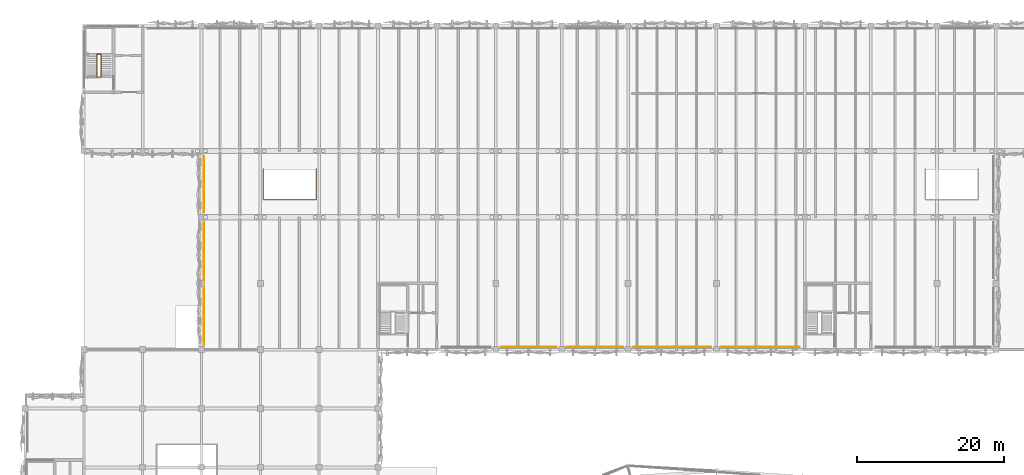
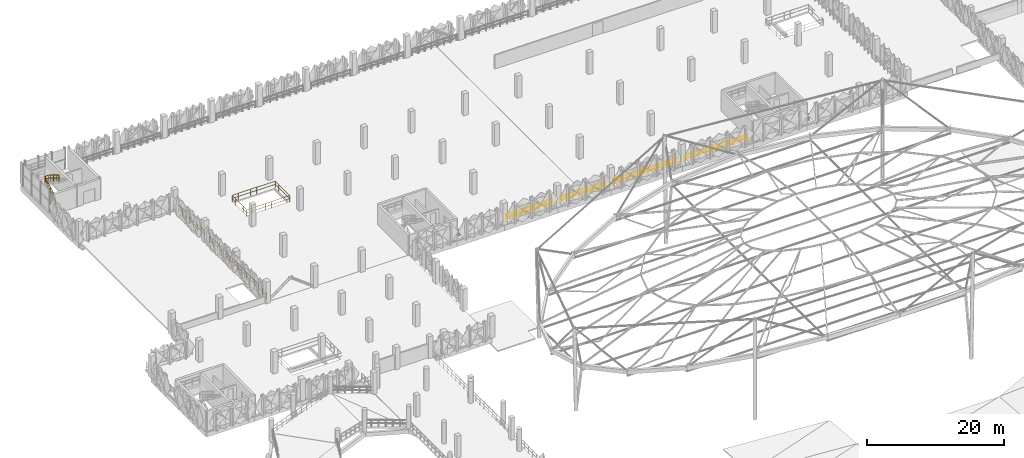
# One storey, part 86 of 96: 8 railings.
"""IFC4 building model written with IfcOpenShell, lengths in metres."""

from ifc_helpers import new_model, si_unit, derived_unit, direction, frame, origin, origin_2d, place, context, subcontext, project, spatial, circle, extrude, material, type_object, element, save


model = new_model("IFC4")

# Units and contexts
model_context = context("Model", 3, precision=1e-05, world=origin(), true_north=direction((0.0, 1.0)))
body_context = subcontext(model_context, "Body", "Model", "MODEL_VIEW")
ifc_project = project(units=[si_unit("LENGTHUNIT", "METRE"), si_unit("AREAUNIT", "SQUARE_METRE"), si_unit("VOLUMEUNIT", "CUBIC_METRE"), si_unit("PLANEANGLEUNIT", "RADIAN"), si_unit("MASSUNIT", "GRAM", prefix="KILO"), si_unit("THERMODYNAMICTEMPERATUREUNIT", "KELVIN"), derived_unit("THERMALTRANSMITTANCEUNIT", [(si_unit("POWERUNIT", "WATT"), 1), (si_unit("AREAUNIT", "SQUARE_METRE"), -1), (si_unit("THERMODYNAMICTEMPERATUREUNIT", "KELVIN"), -1)])], contexts=[model_context])

# Site, building, storey
site_placement = place(None, origin())
site = spatial("IfcSite", under=ifc_project, at=site_placement, CompositionType="ELEMENT")
building_placement = place(site_placement, origin())
building = spatial("IfcBuilding", under=site, at=building_placement, Name="Haiyu Intermodal Mobility Hub", CompositionType="ELEMENT")
storey_placement = place(building_placement, frame((0.0, 0.0, 9.5)))
storey = spatial("IfcBuildingStorey", under=building, at=storey_placement, Name="L02", CompositionType="ELEMENT", Elevation=9.5)

# Railings
ifc_material = material(Name="Steel Q355C", Category="steel")
railing_type_1 = type_object("IfcRailingType", Name="RAL-GR01", PredefinedType="GUARDRAIL", material=ifc_material)
railing_1_placement = place(storey_placement, frame((38.340087890625, 121.300048828125, 0.0)))
element("IfcRailing", 1, at=railing_1_placement, inside=storey, type_object=railing_type_1, Name="RAL-CAR-WS-0083", PredefinedType="GUARDRAIL", context=body_context, shape_type="SweptSolid", body=[
    extrude(circle(Radius=0.02392578125, at=origin_2d()), frame((0.0, -0.030029296875, 1.17578125), z_axis=(0.0, -1.0, 0.0), x_axis=(1.0, 0.0, 0.0)), (0.0, 0.0, 1.0), 16.5400390625),
    extrude(circle(Radius=0.02392578125, at=origin_2d()), frame((0.0, -0.037353515625, 0.60009765625), z_axis=(0.0, -1.0, 0.0), x_axis=(1.0, 0.0, 0.0)), (0.0, 0.0, 1.0), 1.111083984375),
    extrude(circle(Radius=0.02392578125, at=origin_2d()), frame((0.0, -1.222900390625, 0.60009765625), z_axis=(0.0, -1.0, 0.0), x_axis=(1.0, 0.0, 0.0)), (0.0, 0.0, 1.0), 1.111083984375),
    extrude(circle(Radius=0.02392578125, at=origin_2d()), frame((0.0, -2.40869140625, 0.60009765625), z_axis=(0.0, -1.0, 0.0), x_axis=(1.0, 0.0, 0.0)), (0.0, 0.0, 1.0), 1.111083984375),
    extrude(circle(Radius=0.02392578125, at=origin_2d()), frame((0.0, -3.594482421875, 0.60009765625), z_axis=(0.0, -1.0, 0.0), x_axis=(1.0, 0.0, 0.0)), (0.0, 0.0, 1.0), 1.111083984375),
    extrude(circle(Radius=0.02392578125, at=origin_2d()), frame((0.0, -4.7802734375, 0.60009765625), z_axis=(0.0, -1.0, 0.0), x_axis=(1.0, 0.0, 0.0)), (0.0, 0.0, 1.0), 1.111083984375),
    extrude(circle(Radius=0.02392578125, at=origin_2d()), frame((0.0, -5.9658203125, 0.60009765625), z_axis=(0.0, -1.0, 0.0), x_axis=(1.0, 0.0, 0.0)), (0.0, 0.0, 1.0), 1.111083984375),
    extrude(circle(Radius=0.02392578125, at=origin_2d()), frame((0.0, -7.151611328125, 0.60009765625), z_axis=(0.0, -1.0, 0.0), x_axis=(1.0, 0.0, 0.0)), (0.0, 0.0, 1.0), 1.111083984375),
    extrude(circle(Radius=0.02392578125, at=origin_2d()), frame((0.0, -8.33740234375, 0.60009765625), z_axis=(0.0, -1.0, 0.0), x_axis=(1.0, 0.0, 0.0)), (0.0, 0.0, 1.0), 1.111083984375),
    extrude(circle(Radius=0.02392578125, at=origin_2d()), frame((0.0, -9.52294921875, 0.60009765625), z_axis=(0.0, -1.0, 0.0), x_axis=(1.0, 0.0, 0.0)), (0.0, 0.0, 1.0), 1.111083984375),
    extrude(circle(Radius=0.02392578125, at=origin_2d()), frame((0.0, -10.708740234375, 0.60009765625), z_axis=(0.0, -1.0, 0.0), x_axis=(1.0, 0.0, 0.0)), (0.0, 0.0, 1.0), 1.111083984375),
    extrude(circle(Radius=0.02392578125, at=origin_2d()), frame((0.0, -11.89453125, 0.60009765625), z_axis=(0.0, -1.0, 0.0), x_axis=(1.0, 0.0, 0.0)), (0.0, 0.0, 1.0), 1.111083984375),
    extrude(circle(Radius=0.02392578125, at=origin_2d()), frame((0.0, -13.080322265625, 0.60009765625), z_axis=(0.0, -1.0, 0.0), x_axis=(1.0, 0.0, 0.0)), (0.0, 0.0, 1.0), 1.111083984375),
    extrude(circle(Radius=0.02392578125, at=origin_2d()), frame((0.0, -14.265869140625, 0.60009765625), z_axis=(0.0, -1.0, 0.0), x_axis=(1.0, 0.0, 0.0)), (0.0, 0.0, 1.0), 1.111083984375),
    extrude(circle(Radius=0.02392578125, at=origin_2d()), frame((0.0, -15.45166015625, 0.60009765625), z_axis=(0.0, -1.0, 0.0), x_axis=(1.0, 0.0, 0.0)), (0.0, 0.0, 1.0), 1.111083984375),
    extrude(circle(Radius=0.02099609375, at=origin_2d()), origin(), (0.0, 0.0, 1.0), 1.143798828125),
    extrude(circle(Radius=0.02099609375, at=origin_2d()), frame((0.0, -1.185791015625, 0.0)), (0.0, 0.0, 1.0), 1.143798828125),
    extrude(circle(Radius=0.02099609375, at=origin_2d()), frame((0.0, -2.371337890625, 0.0)), (0.0, 0.0, 1.0), 1.143798828125),
    extrude(circle(Radius=0.02099609375, at=origin_2d()), frame((0.0, -3.55712890625, 0.0)), (0.0, 0.0, 1.0), 1.143798828125),
    extrude(circle(Radius=0.02099609375, at=origin_2d()), frame((0.0, -4.742919921875, 0.0)), (0.0, 0.0, 1.0), 1.143798828125),
    extrude(circle(Radius=0.02099609375, at=origin_2d()), frame((0.0, -5.9287109375, 0.0)), (0.0, 0.0, 1.0), 1.143798828125),
    extrude(circle(Radius=0.02099609375, at=origin_2d()), frame((0.0, -7.1142578125, 0.0)), (0.0, 0.0, 1.0), 1.143798828125),
    extrude(circle(Radius=0.02099609375, at=origin_2d()), frame((0.0, -8.300048828125, 0.0)), (0.0, 0.0, 1.0), 1.143798828125),
    extrude(circle(Radius=0.02099609375, at=origin_2d()), frame((0.0, -9.48583984375, 0.0)), (0.0, 0.0, 1.0), 1.143798828125),
    extrude(circle(Radius=0.02099609375, at=origin_2d()), frame((0.0, -10.67138671875, 0.0)), (0.0, 0.0, 1.0), 1.143798828125),
    extrude(circle(Radius=0.02099609375, at=origin_2d()), frame((0.0, -11.857177734375, 0.0)), (0.0, 0.0, 1.0), 1.143798828125),
    extrude(circle(Radius=0.02099609375, at=origin_2d()), frame((0.0, -13.04296875, 0.0)), (0.0, 0.0, 1.0), 1.143798828125),
    extrude(circle(Radius=0.02099609375, at=origin_2d()), frame((0.0, -14.228759765625, 0.0)), (0.0, 0.0, 1.0), 1.143798828125),
    extrude(circle(Radius=0.02099609375, at=origin_2d()), frame((0.0, -15.414306640625, 0.0)), (0.0, 0.0, 1.0), 1.143798828125),
    extrude(circle(Radius=0.02099609375, at=origin_2d()), frame((0.0, -16.60009765625, 0.0)), (0.0, 0.0, 1.0), 1.143798828125),
])
railing_2_placement = place(storey_placement, frame((38.340087890625, 130.300048828125, 0.0)))
element("IfcRailing", 2, at=railing_2_placement, inside=storey, type_object=railing_type_1, Name="RAL-CAR-WS-0088", PredefinedType="GUARDRAIL", context=body_context, shape_type="SweptSolid", body=[
    extrude(circle(Radius=0.02392578125, at=origin_2d()), frame((0.0, -0.030029296875, 1.17578125), z_axis=(0.0, -1.0, 0.0), x_axis=(1.0, 0.0, 0.0)), (0.0, 0.0, 1.0), 7.5400390625),
    extrude(circle(Radius=0.02392578125, at=origin_2d()), frame((0.0, -0.037353515625, 0.60009765625), z_axis=(0.0, -1.0, 0.0), x_axis=(1.0, 0.0, 0.0)), (0.0, 0.0, 1.0), 1.01123046875),
    extrude(circle(Radius=0.02392578125, at=origin_2d()), frame((0.0, -1.123046875, 0.60009765625), z_axis=(0.0, -1.0, 0.0), x_axis=(1.0, 0.0, 0.0)), (0.0, 0.0, 1.0), 1.01123046875),
    extrude(circle(Radius=0.02392578125, at=origin_2d()), frame((0.0, -2.208740234375, 0.60009765625), z_axis=(0.0, -1.0, 0.0), x_axis=(1.0, 0.0, 0.0)), (0.0, 0.0, 1.0), 1.01123046875),
    extrude(circle(Radius=0.02392578125, at=origin_2d()), frame((0.0, -3.29443359375, 0.60009765625), z_axis=(0.0, -1.0, 0.0), x_axis=(1.0, 0.0, 0.0)), (0.0, 0.0, 1.0), 1.01123046875),
    extrude(circle(Radius=0.02392578125, at=origin_2d()), frame((0.0, -4.380126953125, 0.60009765625), z_axis=(0.0, -1.0, 0.0), x_axis=(1.0, 0.0, 0.0)), (0.0, 0.0, 1.0), 1.01123046875),
    extrude(circle(Radius=0.02392578125, at=origin_2d()), frame((0.0, -5.4658203125, 0.60009765625), z_axis=(0.0, -1.0, 0.0), x_axis=(1.0, 0.0, 0.0)), (0.0, 0.0, 1.0), 1.01123046875),
    extrude(circle(Radius=0.02392578125, at=origin_2d()), frame((0.0, -6.5517578125, 0.60009765625), z_axis=(0.0, -1.0, 0.0), x_axis=(1.0, 0.0, 0.0)), (0.0, 0.0, 1.0), 1.01123046875),
    extrude(circle(Radius=0.02099609375, at=origin_2d()), origin(), (0.0, 0.0, 1.0), 1.143798828125),
    extrude(circle(Radius=0.02099609375, at=origin_2d()), frame((0.0, -1.085693359375, 0.0)), (0.0, 0.0, 1.0), 1.143798828125),
    extrude(circle(Radius=0.02099609375, at=origin_2d()), frame((0.0, -2.17138671875, 0.0)), (0.0, 0.0, 1.0), 1.143798828125),
    extrude(circle(Radius=0.02099609375, at=origin_2d()), frame((0.0, -3.257080078125, 0.0)), (0.0, 0.0, 1.0), 1.143798828125),
    extrude(circle(Radius=0.02099609375, at=origin_2d()), frame((0.0, -4.343017578125, 0.0)), (0.0, 0.0, 1.0), 1.143798828125),
    extrude(circle(Radius=0.02099609375, at=origin_2d()), frame((0.0, -5.4287109375, 0.0)), (0.0, 0.0, 1.0), 1.143798828125),
    extrude(circle(Radius=0.02099609375, at=origin_2d()), frame((0.0, -6.514404296875, 0.0)), (0.0, 0.0, 1.0), 1.143798828125),
    extrude(circle(Radius=0.02099609375, at=origin_2d()), frame((0.0, -7.60009765625, 0.0)), (0.0, 0.0, 1.0), 1.143798828125),
])
railing_3_placement = place(storey_placement, frame((78.699951171875, 104.340087890625, 0.0)))
element("IfcRailing", 3, at=railing_3_placement, inside=storey, type_object=railing_type_1, Name="RAL-CAR-S-0116", PredefinedType="GUARDRAIL", context=body_context, shape_type="SweptSolid", body=[
    extrude(circle(Radius=0.02392578125, at=origin_2d()), frame((0.030029296875, 0.0, 1.17578125), z_axis=(1.0, 0.0, 0.0), x_axis=(0.0, 1.0, 0.0)), (0.0, 0.0, 1.0), 7.5400390625),
    extrude(circle(Radius=0.02392578125, at=origin_2d()), frame((0.037353515625, 0.0, 0.60009765625), z_axis=(1.0, 0.0, 0.0), x_axis=(0.0, 1.0, 0.0)), (0.0, 0.0, 1.0), 1.01123046875),
    extrude(circle(Radius=0.02392578125, at=origin_2d()), frame((1.123046875, 0.0, 0.60009765625), z_axis=(1.0, 0.0, 0.0), x_axis=(0.0, 1.0, 0.0)), (0.0, 0.0, 1.0), 1.01123046875),
    extrude(circle(Radius=0.02392578125, at=origin_2d()), frame((2.208740234375, 0.0, 0.60009765625), z_axis=(1.0, 0.0, 0.0), x_axis=(0.0, 1.0, 0.0)), (0.0, 0.0, 1.0), 1.01123046875),
    extrude(circle(Radius=0.02392578125, at=origin_2d()), frame((3.29443359375, 0.0, 0.60009765625), z_axis=(1.0, 0.0, 0.0), x_axis=(0.0, 1.0, 0.0)), (0.0, 0.0, 1.0), 1.01123046875),
    extrude(circle(Radius=0.02392578125, at=origin_2d()), frame((4.380126953125, 0.0, 0.60009765625), z_axis=(1.0, 0.0, 0.0), x_axis=(0.0, 1.0, 0.0)), (0.0, 0.0, 1.0), 1.01123046875),
    extrude(circle(Radius=0.02392578125, at=origin_2d()), frame((5.4658203125, 0.0, 0.60009765625), z_axis=(1.0, 0.0, 0.0), x_axis=(0.0, 1.0, 0.0)), (0.0, 0.0, 1.0), 1.01123046875),
    extrude(circle(Radius=0.02392578125, at=origin_2d()), frame((6.5517578125, 0.0, 0.60009765625), z_axis=(1.0, 0.0, 0.0), x_axis=(0.0, 1.0, 0.0)), (0.0, 0.0, 1.0), 1.01123046875),
    extrude(circle(Radius=0.02099609375, at=origin_2d()), origin(), (0.0, 0.0, 1.0), 1.143798828125),
    extrude(circle(Radius=0.02099609375, at=origin_2d()), frame((1.085693359375, 0.0, 0.0)), (0.0, 0.0, 1.0), 1.143798828125),
    extrude(circle(Radius=0.02099609375, at=origin_2d()), frame((2.17138671875, 0.0, 0.0)), (0.0, 0.0, 1.0), 1.143798828125),
    extrude(circle(Radius=0.02099609375, at=origin_2d()), frame((3.257080078125, 0.0, 0.0)), (0.0, 0.0, 1.0), 1.143798828125),
    extrude(circle(Radius=0.02099609375, at=origin_2d()), frame((4.343017578125, 0.0, 0.0)), (0.0, 0.0, 1.0), 1.143798828125),
    extrude(circle(Radius=0.02099609375, at=origin_2d()), frame((5.4287109375, 0.0, 0.0)), (0.0, 0.0, 1.0), 1.143798828125),
    extrude(circle(Radius=0.02099609375, at=origin_2d()), frame((6.514404296875, 0.0, 0.0)), (0.0, 0.0, 1.0), 1.143798828125),
    extrude(circle(Radius=0.02099609375, at=origin_2d()), frame((7.60009765625, 0.0, 0.0)), (0.0, 0.0, 1.0), 1.143798828125),
])
railing_4_placement = place(storey_placement, frame((87.699951171875, 104.340087890625, 0.0)))
element("IfcRailing", 4, at=railing_4_placement, inside=storey, type_object=railing_type_1, Name="RAL-CAR-S-0121", PredefinedType="GUARDRAIL", context=body_context, shape_type="SweptSolid", body=[
    extrude(circle(Radius=0.02392578125, at=origin_2d()), frame((0.030029296875, 0.0, 1.17578125), z_axis=(1.0, 0.0, 0.0), x_axis=(0.0, 1.0, 0.0)), (0.0, 0.0, 1.0), 7.5400390625),
    extrude(circle(Radius=0.02392578125, at=origin_2d()), frame((0.037353515625, 0.0, 0.60009765625), z_axis=(1.0, 0.0, 0.0), x_axis=(0.0, 1.0, 0.0)), (0.0, 0.0, 1.0), 1.01123046875),
    extrude(circle(Radius=0.02392578125, at=origin_2d()), frame((1.123046875, 0.0, 0.60009765625), z_axis=(1.0, 0.0, 0.0), x_axis=(0.0, 1.0, 0.0)), (0.0, 0.0, 1.0), 1.01123046875),
    extrude(circle(Radius=0.02392578125, at=origin_2d()), frame((2.208740234375, 0.0, 0.60009765625), z_axis=(1.0, 0.0, 0.0), x_axis=(0.0, 1.0, 0.0)), (0.0, 0.0, 1.0), 1.01123046875),
    extrude(circle(Radius=0.02392578125, at=origin_2d()), frame((3.29443359375, 0.0, 0.60009765625), z_axis=(1.0, 0.0, 0.0), x_axis=(0.0, 1.0, 0.0)), (0.0, 0.0, 1.0), 1.01123046875),
    extrude(circle(Radius=0.02392578125, at=origin_2d()), frame((4.380126953125, 0.0, 0.60009765625), z_axis=(1.0, 0.0, 0.0), x_axis=(0.0, 1.0, 0.0)), (0.0, 0.0, 1.0), 1.01123046875),
    extrude(circle(Radius=0.02392578125, at=origin_2d()), frame((5.4658203125, 0.0, 0.60009765625), z_axis=(1.0, 0.0, 0.0), x_axis=(0.0, 1.0, 0.0)), (0.0, 0.0, 1.0), 1.01123046875),
    extrude(circle(Radius=0.02392578125, at=origin_2d()), frame((6.5517578125, 0.0, 0.60009765625), z_axis=(1.0, 0.0, 0.0), x_axis=(0.0, 1.0, 0.0)), (0.0, 0.0, 1.0), 1.01123046875),
    extrude(circle(Radius=0.02099609375, at=origin_2d()), origin(), (0.0, 0.0, 1.0), 1.143798828125),
    extrude(circle(Radius=0.02099609375, at=origin_2d()), frame((1.085693359375, 0.0, 0.0)), (0.0, 0.0, 1.0), 1.143798828125),
    extrude(circle(Radius=0.02099609375, at=origin_2d()), frame((2.17138671875, 0.0, 0.0)), (0.0, 0.0, 1.0), 1.143798828125),
    extrude(circle(Radius=0.02099609375, at=origin_2d()), frame((3.257080078125, 0.0, 0.0)), (0.0, 0.0, 1.0), 1.143798828125),
    extrude(circle(Radius=0.02099609375, at=origin_2d()), frame((4.343017578125, 0.0, 0.0)), (0.0, 0.0, 1.0), 1.143798828125),
    extrude(circle(Radius=0.02099609375, at=origin_2d()), frame((5.4287109375, 0.0, 0.0)), (0.0, 0.0, 1.0), 1.143798828125),
    extrude(circle(Radius=0.02099609375, at=origin_2d()), frame((6.514404296875, 0.0, 0.0)), (0.0, 0.0, 1.0), 1.143798828125),
    extrude(circle(Radius=0.02099609375, at=origin_2d()), frame((7.60009765625, 0.0, 0.0)), (0.0, 0.0, 1.0), 1.143798828125),
])
railing_5_placement = place(storey_placement, frame((96.699951171875, 104.340087890625, 0.0)))
element("IfcRailing", 5, at=railing_5_placement, inside=storey, type_object=railing_type_1, Name="RAL-CAR-S-0127", PredefinedType="GUARDRAIL", context=body_context, shape_type="SweptSolid", body=[
    extrude(circle(Radius=0.02392578125, at=origin_2d()), frame((0.030029296875, 0.0, 1.17578125), z_axis=(1.0, 0.0, 0.0), x_axis=(0.0, 1.0, 0.0)), (0.0, 0.0, 1.0), 10.5400390625),
    extrude(circle(Radius=0.02392578125, at=origin_2d()), frame((0.037353515625, 0.0, 0.60009765625), z_axis=(1.0, 0.0, 0.0), x_axis=(0.0, 1.0, 0.0)), (0.0, 0.0, 1.0), 1.103271484375),
    extrude(circle(Radius=0.02392578125, at=origin_2d()), frame((1.215087890625, 0.0, 0.60009765625), z_axis=(1.0, 0.0, 0.0), x_axis=(0.0, 1.0, 0.0)), (0.0, 0.0, 1.0), 1.103271484375),
    extrude(circle(Radius=0.02392578125, at=origin_2d()), frame((2.392822265625, 0.0, 0.60009765625), z_axis=(1.0, 0.0, 0.0), x_axis=(0.0, 1.0, 0.0)), (0.0, 0.0, 1.0), 1.103271484375),
    extrude(circle(Radius=0.02392578125, at=origin_2d()), frame((3.570556640625, 0.0, 0.60009765625), z_axis=(1.0, 0.0, 0.0), x_axis=(0.0, 1.0, 0.0)), (0.0, 0.0, 1.0), 1.103271484375),
    extrude(circle(Radius=0.02392578125, at=origin_2d()), frame((4.74853515625, 0.0, 0.60009765625), z_axis=(1.0, 0.0, 0.0), x_axis=(0.0, 1.0, 0.0)), (0.0, 0.0, 1.0), 1.103271484375),
    extrude(circle(Radius=0.02392578125, at=origin_2d()), frame((5.92626953125, 0.0, 0.60009765625), z_axis=(1.0, 0.0, 0.0), x_axis=(0.0, 1.0, 0.0)), (0.0, 0.0, 1.0), 1.103271484375),
    extrude(circle(Radius=0.02392578125, at=origin_2d()), frame((7.10400390625, 0.0, 0.60009765625), z_axis=(1.0, 0.0, 0.0), x_axis=(0.0, 1.0, 0.0)), (0.0, 0.0, 1.0), 1.103271484375),
    extrude(circle(Radius=0.02392578125, at=origin_2d()), frame((8.28173828125, 0.0, 0.60009765625), z_axis=(1.0, 0.0, 0.0), x_axis=(0.0, 1.0, 0.0)), (0.0, 0.0, 1.0), 1.103271484375),
    extrude(circle(Radius=0.02392578125, at=origin_2d()), frame((9.459716796875, 0.0, 0.60009765625), z_axis=(1.0, 0.0, 0.0), x_axis=(0.0, 1.0, 0.0)), (0.0, 0.0, 1.0), 1.103271484375),
    extrude(circle(Radius=0.02099609375, at=origin_2d()), origin(), (0.0, 0.0, 1.0), 1.143798828125),
    extrude(circle(Radius=0.02099609375, at=origin_2d()), frame((1.177734375, 0.0, 0.0)), (0.0, 0.0, 1.0), 1.143798828125),
    extrude(circle(Radius=0.02099609375, at=origin_2d()), frame((2.35546875, 0.0, 0.0)), (0.0, 0.0, 1.0), 1.143798828125),
    extrude(circle(Radius=0.02099609375, at=origin_2d()), frame((3.533447265625, 0.0, 0.0)), (0.0, 0.0, 1.0), 1.143798828125),
    extrude(circle(Radius=0.02099609375, at=origin_2d()), frame((4.711181640625, 0.0, 0.0)), (0.0, 0.0, 1.0), 1.143798828125),
    extrude(circle(Radius=0.02099609375, at=origin_2d()), frame((5.888916015625, 0.0, 0.0)), (0.0, 0.0, 1.0), 1.143798828125),
    extrude(circle(Radius=0.02099609375, at=origin_2d()), frame((7.066650390625, 0.0, 0.0)), (0.0, 0.0, 1.0), 1.143798828125),
    extrude(circle(Radius=0.02099609375, at=origin_2d()), frame((8.24462890625, 0.0, 0.0)), (0.0, 0.0, 1.0), 1.143798828125),
    extrude(circle(Radius=0.02099609375, at=origin_2d()), frame((9.42236328125, 0.0, 0.0)), (0.0, 0.0, 1.0), 1.143798828125),
    extrude(circle(Radius=0.02099609375, at=origin_2d()), frame((10.60009765625, 0.0, 0.0)), (0.0, 0.0, 1.0), 1.143798828125),
])
railing_6_placement = place(storey_placement, frame((108.699951171875, 104.340087890625, 0.0)))
element("IfcRailing", 6, at=railing_6_placement, inside=storey, type_object=railing_type_1, Name="RAL-CAR-S-0133", PredefinedType="GUARDRAIL", context=body_context, shape_type="SweptSolid", body=[
    extrude(circle(Radius=0.02392578125, at=origin_2d()), frame((0.030029296875, 0.0, 1.17578125), z_axis=(1.0, 0.0, 0.0), x_axis=(0.0, 1.0, 0.0)), (0.0, 0.0, 1.0), 10.5400390625),
    extrude(circle(Radius=0.02392578125, at=origin_2d()), frame((0.037353515625, 0.0, 0.60009765625), z_axis=(1.0, 0.0, 0.0), x_axis=(0.0, 1.0, 0.0)), (0.0, 0.0, 1.0), 1.103271484375),
    extrude(circle(Radius=0.02392578125, at=origin_2d()), frame((1.215087890625, 0.0, 0.60009765625), z_axis=(1.0, 0.0, 0.0), x_axis=(0.0, 1.0, 0.0)), (0.0, 0.0, 1.0), 1.103271484375),
    extrude(circle(Radius=0.02392578125, at=origin_2d()), frame((2.392822265625, 0.0, 0.60009765625), z_axis=(1.0, 0.0, 0.0), x_axis=(0.0, 1.0, 0.0)), (0.0, 0.0, 1.0), 1.103271484375),
    extrude(circle(Radius=0.02392578125, at=origin_2d()), frame((3.570556640625, 0.0, 0.60009765625), z_axis=(1.0, 0.0, 0.0), x_axis=(0.0, 1.0, 0.0)), (0.0, 0.0, 1.0), 1.103271484375),
    extrude(circle(Radius=0.02392578125, at=origin_2d()), frame((4.74853515625, 0.0, 0.60009765625), z_axis=(1.0, 0.0, 0.0), x_axis=(0.0, 1.0, 0.0)), (0.0, 0.0, 1.0), 1.103271484375),
    extrude(circle(Radius=0.02392578125, at=origin_2d()), frame((5.92626953125, 0.0, 0.60009765625), z_axis=(1.0, 0.0, 0.0), x_axis=(0.0, 1.0, 0.0)), (0.0, 0.0, 1.0), 1.103271484375),
    extrude(circle(Radius=0.02392578125, at=origin_2d()), frame((7.10400390625, 0.0, 0.60009765625), z_axis=(1.0, 0.0, 0.0), x_axis=(0.0, 1.0, 0.0)), (0.0, 0.0, 1.0), 1.103271484375),
    extrude(circle(Radius=0.02392578125, at=origin_2d()), frame((8.28173828125, 0.0, 0.60009765625), z_axis=(1.0, 0.0, 0.0), x_axis=(0.0, 1.0, 0.0)), (0.0, 0.0, 1.0), 1.103271484375),
    extrude(circle(Radius=0.02392578125, at=origin_2d()), frame((9.459716796875, 0.0, 0.60009765625), z_axis=(1.0, 0.0, 0.0), x_axis=(0.0, 1.0, 0.0)), (0.0, 0.0, 1.0), 1.103271484375),
    extrude(circle(Radius=0.02099609375, at=origin_2d()), origin(), (0.0, 0.0, 1.0), 1.143798828125),
    extrude(circle(Radius=0.02099609375, at=origin_2d()), frame((1.177734375, 0.0, 0.0)), (0.0, 0.0, 1.0), 1.143798828125),
    extrude(circle(Radius=0.02099609375, at=origin_2d()), frame((2.35546875, 0.0, 0.0)), (0.0, 0.0, 1.0), 1.143798828125),
    extrude(circle(Radius=0.02099609375, at=origin_2d()), frame((3.533447265625, 0.0, 0.0)), (0.0, 0.0, 1.0), 1.143798828125),
    extrude(circle(Radius=0.02099609375, at=origin_2d()), frame((4.711181640625, 0.0, 0.0)), (0.0, 0.0, 1.0), 1.143798828125),
    extrude(circle(Radius=0.02099609375, at=origin_2d()), frame((5.888916015625, 0.0, 0.0)), (0.0, 0.0, 1.0), 1.143798828125),
    extrude(circle(Radius=0.02099609375, at=origin_2d()), frame((7.066650390625, 0.0, 0.0)), (0.0, 0.0, 1.0), 1.143798828125),
    extrude(circle(Radius=0.02099609375, at=origin_2d()), frame((8.24462890625, 0.0, 0.0)), (0.0, 0.0, 1.0), 1.143798828125),
    extrude(circle(Radius=0.02099609375, at=origin_2d()), frame((9.42236328125, 0.0, 0.0)), (0.0, 0.0, 1.0), 1.143798828125),
    extrude(circle(Radius=0.02099609375, at=origin_2d()), frame((10.60009765625, 0.0, 0.0)), (0.0, 0.0, 1.0), 1.143798828125),
])
railing_7_placement = place(storey_placement, frame((46.3798828125, 124.3798828125, 0.0)))
element("IfcRailing", 7, at=railing_7_placement, inside=storey, type_object=railing_type_1, Name="RAL-V4VOID-L02-W", PredefinedType="GUARDRAIL", context=body_context, shape_type="SweptSolid", body=[
    extrude(circle(Radius=0.02392578125, at=origin_2d()), frame((0.030029296875, 0.0, 1.15576171875), z_axis=(1.0, 0.0, 0.0), x_axis=(0.0, 1.0, 0.0)), (0.0, 0.0, 1.0), 7.18017578125),
    extrude(circle(Radius=0.02392578125, at=origin_2d()), frame((0.037353515625, 0.0, 0.58984375), z_axis=(1.0, 0.0, 0.0), x_axis=(0.0, 1.0, 0.0)), (0.0, 0.0, 1.0), 0.959716796875),
    extrude(circle(Radius=0.02392578125, at=origin_2d()), frame((1.071533203125, 0.0, 0.58984375), z_axis=(1.0, 0.0, 0.0), x_axis=(0.0, 1.0, 0.0)), (0.0, 0.0, 1.0), 0.959716796875),
    extrude(circle(Radius=0.02392578125, at=origin_2d()), frame((2.10595703125, 0.0, 0.58984375), z_axis=(1.0, 0.0, 0.0), x_axis=(0.0, 1.0, 0.0)), (0.0, 0.0, 1.0), 0.959716796875),
    extrude(circle(Radius=0.02392578125, at=origin_2d()), frame((3.14013671875, 0.0, 0.58984375), z_axis=(1.0, 0.0, 0.0), x_axis=(0.0, 1.0, 0.0)), (0.0, 0.0, 1.0), 0.959716796875),
    extrude(circle(Radius=0.02392578125, at=origin_2d()), frame((4.174560546875, 0.0, 0.58984375), z_axis=(1.0, 0.0, 0.0), x_axis=(0.0, 1.0, 0.0)), (0.0, 0.0, 1.0), 0.959716796875),
    extrude(circle(Radius=0.02392578125, at=origin_2d()), frame((5.208984375, 0.0, 0.58984375), z_axis=(1.0, 0.0, 0.0), x_axis=(0.0, 1.0, 0.0)), (0.0, 0.0, 1.0), 0.959716796875),
    extrude(circle(Radius=0.02392578125, at=origin_2d()), frame((6.2431640625, 0.0, 0.58984375), z_axis=(1.0, 0.0, 0.0), x_axis=(0.0, 1.0, 0.0)), (0.0, 0.0, 1.0), 0.959716796875),
    extrude(circle(Radius=0.02392578125, at=origin_2d()), frame((7.240234375, 0.030029296875, 1.15576171875), z_axis=(0.0, 1.0, 0.0), x_axis=(-1.0, 0.0, 0.0)), (0.0, 0.0, 1.0), 4.18017578125),
    extrude(circle(Radius=0.02392578125, at=origin_2d()), frame((7.240234375, 0.037353515625, 0.58984375), z_axis=(0.0, 1.0, 0.0), x_axis=(-1.0, 0.0, 0.0)), (0.0, 0.0, 1.0), 0.9853515625),
    extrude(circle(Radius=0.02392578125, at=origin_2d()), frame((7.240234375, 1.097412109375, 0.58984375), z_axis=(0.0, 1.0, 0.0), x_axis=(-1.0, 0.0, 0.0)), (0.0, 0.0, 1.0), 0.9853515625),
    extrude(circle(Radius=0.02392578125, at=origin_2d()), frame((7.240234375, 2.157470703125, 0.58984375), z_axis=(0.0, 1.0, 0.0), x_axis=(-1.0, 0.0, 0.0)), (0.0, 0.0, 1.0), 0.9853515625),
    extrude(circle(Radius=0.02392578125, at=origin_2d()), frame((7.240234375, 3.217529296875, 0.58984375), z_axis=(0.0, 1.0, 0.0), x_axis=(-1.0, 0.0, 0.0)), (0.0, 0.0, 1.0), 0.9853515625),
    extrude(circle(Radius=0.02392578125, at=origin_2d()), frame((7.210205078125, 4.240234375, 1.15576171875), z_axis=(-1.0, 0.0, 0.0), x_axis=(0.0, -1.0, 0.0)), (0.0, 0.0, 1.0), 7.18017578125),
    extrude(circle(Radius=0.02392578125, at=origin_2d()), frame((7.202880859375, 4.240234375, 0.58984375), z_axis=(-1.0, 0.0, 0.0), x_axis=(0.0, -1.0, 0.0)), (0.0, 0.0, 1.0), 0.959716796875),
    extrude(circle(Radius=0.02392578125, at=origin_2d()), frame((6.168701171875, 4.240234375, 0.58984375), z_axis=(-1.0, 0.0, 0.0), x_axis=(0.0, -1.0, 0.0)), (0.0, 0.0, 1.0), 0.959716796875),
    extrude(circle(Radius=0.02392578125, at=origin_2d()), frame((5.13427734375, 4.240234375, 0.58984375), z_axis=(-1.0, 0.0, 0.0), x_axis=(0.0, -1.0, 0.0)), (0.0, 0.0, 1.0), 0.959716796875),
    extrude(circle(Radius=0.02392578125, at=origin_2d()), frame((4.10009765625, 4.240234375, 0.58984375), z_axis=(-1.0, 0.0, 0.0), x_axis=(0.0, -1.0, 0.0)), (0.0, 0.0, 1.0), 0.959716796875),
    extrude(circle(Radius=0.02392578125, at=origin_2d()), frame((3.065673828125, 4.240234375, 0.58984375), z_axis=(-1.0, 0.0, 0.0), x_axis=(0.0, -1.0, 0.0)), (0.0, 0.0, 1.0), 0.959716796875),
    extrude(circle(Radius=0.02392578125, at=origin_2d()), frame((2.03125, 4.240234375, 0.58984375), z_axis=(-1.0, 0.0, 0.0), x_axis=(0.0, -1.0, 0.0)), (0.0, 0.0, 1.0), 0.959716796875),
    extrude(circle(Radius=0.02392578125, at=origin_2d()), frame((0.9970703125, 4.240234375, 0.58984375), z_axis=(-1.0, 0.0, 0.0), x_axis=(0.0, -1.0, 0.0)), (0.0, 0.0, 1.0), 0.959716796875),
    extrude(circle(Radius=0.02392578125, at=origin_2d()), frame((0.0, 4.210205078125, 1.15576171875), z_axis=(0.0, -1.0, 0.0), x_axis=(1.0, 0.0, 0.0)), (0.0, 0.0, 1.0), 4.18017578125),
    extrude(circle(Radius=0.02392578125, at=origin_2d()), frame((0.0, 4.202880859375, 0.58984375), z_axis=(0.0, -1.0, 0.0), x_axis=(1.0, 0.0, 0.0)), (0.0, 0.0, 1.0), 0.9853515625),
    extrude(circle(Radius=0.02392578125, at=origin_2d()), frame((0.0, 3.142822265625, 0.58984375), z_axis=(0.0, -1.0, 0.0), x_axis=(1.0, 0.0, 0.0)), (0.0, 0.0, 1.0), 0.9853515625),
    extrude(circle(Radius=0.02392578125, at=origin_2d()), frame((0.0, 2.082763671875, 0.58984375), z_axis=(0.0, -1.0, 0.0), x_axis=(1.0, 0.0, 0.0)), (0.0, 0.0, 1.0), 0.9853515625),
    extrude(circle(Radius=0.02392578125, at=origin_2d()), frame((0.0, 1.022705078125, 0.58984375), z_axis=(0.0, -1.0, 0.0), x_axis=(1.0, 0.0, 0.0)), (0.0, 0.0, 1.0), 0.9853515625),
    extrude(circle(Radius=0.02099609375, at=origin_2d()), origin(), (0.0, 0.0, 1.0), 1.123779296875),
    extrude(circle(Radius=0.02099609375, at=origin_2d()), frame((1.034423828125, 0.0, 0.0)), (0.0, 0.0, 1.0), 1.123779296875),
    extrude(circle(Radius=0.02099609375, at=origin_2d()), frame((2.068603515625, 0.0, 0.0)), (0.0, 0.0, 1.0), 1.123779296875),
    extrude(circle(Radius=0.02099609375, at=origin_2d()), frame((3.10302734375, 0.0, 0.0)), (0.0, 0.0, 1.0), 1.123779296875),
    extrude(circle(Radius=0.02099609375, at=origin_2d()), frame((4.13720703125, 0.0, 0.0)), (0.0, 0.0, 1.0), 1.123779296875),
    extrude(circle(Radius=0.02099609375, at=origin_2d()), frame((5.171630859375, 0.0, 0.0)), (0.0, 0.0, 1.0), 1.123779296875),
    extrude(circle(Radius=0.02099609375, at=origin_2d()), frame((6.205810546875, 0.0, 0.0)), (0.0, 0.0, 1.0), 1.123779296875),
    extrude(circle(Radius=0.02099609375, at=origin_2d()), frame((7.240234375, 0.0, 0.0)), (0.0, 0.0, 1.0), 1.123779296875),
    extrude(circle(Radius=0.02099609375, at=origin_2d()), frame((7.240234375, 1.06005859375, 0.0)), (0.0, 0.0, 1.0), 1.123779296875),
    extrude(circle(Radius=0.02099609375, at=origin_2d()), frame((7.240234375, 2.1201171875, 0.0)), (0.0, 0.0, 1.0), 1.123779296875),
    extrude(circle(Radius=0.02099609375, at=origin_2d()), frame((7.240234375, 3.18017578125, 0.0)), (0.0, 0.0, 1.0), 1.123779296875),
    extrude(circle(Radius=0.02099609375, at=origin_2d()), frame((7.240234375, 4.240234375, 0.0)), (0.0, 0.0, 1.0), 1.123779296875),
    extrude(circle(Radius=0.02099609375, at=origin_2d()), frame((6.205810546875, 4.240234375, 0.0)), (0.0, 0.0, 1.0), 1.123779296875),
    extrude(circle(Radius=0.02099609375, at=origin_2d()), frame((5.171630859375, 4.240234375, 0.0)), (0.0, 0.0, 1.0), 1.123779296875),
    extrude(circle(Radius=0.02099609375, at=origin_2d()), frame((4.13720703125, 4.240234375, 0.0)), (0.0, 0.0, 1.0), 1.123779296875),
    extrude(circle(Radius=0.02099609375, at=origin_2d()), frame((3.10302734375, 4.240234375, 0.0)), (0.0, 0.0, 1.0), 1.123779296875),
    extrude(circle(Radius=0.02099609375, at=origin_2d()), frame((2.068603515625, 4.240234375, 0.0)), (0.0, 0.0, 1.0), 1.123779296875),
    extrude(circle(Radius=0.02099609375, at=origin_2d()), frame((1.034423828125, 4.240234375, 0.0)), (0.0, 0.0, 1.0), 1.123779296875),
    extrude(circle(Radius=0.02099609375, at=origin_2d()), frame((0.0, 4.240234375, 0.0)), (0.0, 0.0, 1.0), 1.123779296875),
    extrude(circle(Radius=0.02099609375, at=origin_2d()), frame((0.0, 3.18017578125, 0.0)), (0.0, 0.0, 1.0), 1.123779296875),
    extrude(circle(Radius=0.02099609375, at=origin_2d()), frame((0.0, 2.1201171875, 0.0)), (0.0, 0.0, 1.0), 1.123779296875),
    extrude(circle(Radius=0.02099609375, at=origin_2d()), frame((0.0, 1.06005859375, 0.0)), (0.0, 0.0, 1.0), 1.123779296875),
])
railing_type_2 = type_object("IfcRailingType", Name="RAL-GR03", PredefinedType="GUARDRAIL", material=ifc_material)
railing_8_placement = place(storey_placement, frame((23.780029296875, 141.050048828125, 0.0)))
element("IfcRailing", 8, at=railing_8_placement, inside=storey, type_object=railing_type_2, Name="Stair Well Guard STR-C3-L02", PredefinedType="GUARDRAIL", context=body_context, shape_type="SweptSolid", body=[
    extrude(circle(Radius=0.02392578125, at=origin_2d()), frame((0.0, 0.025390625, 1.11181640625), z_axis=(0.0, 0.848756196164, 0.528784378999), x_axis=(-1.0, 0.0, 0.0)), (0.0, 0.0, 1.0), 3.627685546875),
    extrude(circle(Radius=0.02392578125, at=origin_2d()), frame((0.0, 0.03173828125, 0.579833984375), z_axis=(0.0, 0.848756196164, 0.528784378999), x_axis=(-1.0, 0.0, 0.0)), (0.0, 0.0, 1.0), 0.847412109375),
    extrude(circle(Radius=0.02392578125, at=origin_2d()), frame((0.0, 0.814208984375, 1.0673828125), z_axis=(0.0, 0.848756196164, 0.528784378999), x_axis=(-1.0, 0.0, 0.0)), (0.0, 0.0, 1.0), 0.847412109375),
    extrude(circle(Radius=0.02392578125, at=origin_2d()), frame((0.0, 1.5966796875, 1.5546875), z_axis=(0.0, 0.848756196164, 0.528784378999), x_axis=(-1.0, 0.0, 0.0)), (0.0, 0.0, 1.0), 0.847412109375),
    extrude(circle(Radius=0.02392578125, at=origin_2d()), frame((0.0, 2.379150390625, 2.042236328125), z_axis=(0.0, 0.848756196164, 0.528784378999), x_axis=(-1.0, 0.0, 0.0)), (0.0, 0.0, 1.0), 0.847412109375),
    extrude(circle(Radius=0.02392578125, at=origin_2d()), frame((0.030029296875, 3.1298828125, 3.0458984375), z_axis=(1.0, 0.0, 0.0), x_axis=(0.0, 1.0, 0.0)), (0.0, 0.0, 1.0), 0.469970703125),
    extrude(circle(Radius=0.02392578125, at=origin_2d()), frame((0.037353515625, 3.1298828125, 2.510009765625), z_axis=(1.0, 0.0, 0.0), x_axis=(0.0, 1.0, 0.0)), (0.0, 0.0, 1.0), 0.455322265625),
    extrude(circle(Radius=0.02392578125, at=origin_2d()), frame((0.530029296875, 3.1044921875, 3.061767578125), z_axis=(0.0, -0.848756196164, 0.528784378999), x_axis=(1.0, 0.0, 0.0)), (0.0, 0.0, 1.0), 3.627685546875),
    extrude(circle(Radius=0.02392578125, at=origin_2d()), frame((0.530029296875, 3.09814453125, 2.52978515625), z_axis=(0.0, -0.848756196164, 0.528784378999), x_axis=(1.0, 0.0, 0.0)), (0.0, 0.0, 1.0), 0.847412109375),
    extrude(circle(Radius=0.02392578125, at=origin_2d()), frame((0.530029296875, 2.315673828125, 3.017333984375), z_axis=(0.0, -0.848756196164, 0.528784378999), x_axis=(1.0, 0.0, 0.0)), (0.0, 0.0, 1.0), 0.847412109375),
    extrude(circle(Radius=0.02392578125, at=origin_2d()), frame((0.530029296875, 1.533203125, 3.504638671875), z_axis=(0.0, -0.848756196164, 0.528784378999), x_axis=(1.0, 0.0, 0.0)), (0.0, 0.0, 1.0), 0.847412109375),
    extrude(circle(Radius=0.02392578125, at=origin_2d()), frame((0.530029296875, 0.750732421875, 3.9921875), z_axis=(0.0, -0.848756196164, 0.528784378999), x_axis=(1.0, 0.0, 0.0)), (0.0, 0.0, 1.0), 0.847412109375),
    extrude(circle(Radius=0.02099609375, at=origin_2d()), origin(), (0.0, 0.0, 1.0), 1.06396484375),
    extrude(circle(Radius=0.02099609375, at=origin_2d()), frame((0.0, 0.782470703125, 0.487548828125)), (0.0, 0.0, 1.0), 1.06396484375),
    extrude(circle(Radius=0.02099609375, at=origin_2d()), frame((0.0, 1.56494140625, 0.97509765625)), (0.0, 0.0, 1.0), 1.06396484375),
    extrude(circle(Radius=0.02099609375, at=origin_2d()), frame((0.0, 2.347412109375, 1.46240234375)), (0.0, 0.0, 1.0), 1.06396484375),
    extrude(circle(Radius=0.02099609375, at=origin_2d()), frame((0.0, 3.1298828125, 1.949951171875)), (0.0, 0.0, 1.0), 1.06396484375),
    extrude(circle(Radius=0.02099609375, at=origin_2d()), frame((0.530029296875, 3.1298828125, 1.949951171875)), (0.0, 0.0, 1.0), 1.06396484375),
    extrude(circle(Radius=0.02099609375, at=origin_2d()), frame((0.530029296875, 2.347412109375, 2.4375)), (0.0, 0.0, 1.0), 1.06396484375),
    extrude(circle(Radius=0.02099609375, at=origin_2d()), frame((0.530029296875, 1.56494140625, 2.9248046875)), (0.0, 0.0, 1.0), 1.06396484375),
    extrude(circle(Radius=0.02099609375, at=origin_2d()), frame((0.530029296875, 0.782470703125, 3.412353515625)), (0.0, 0.0, 1.0), 1.06396484375),
    extrude(circle(Radius=0.02099609375, at=origin_2d()), frame((0.530029296875, 0.0, 3.89990234375)), (0.0, 0.0, 1.0), 1.06396484375),
])

save(model, "model.ifc")
